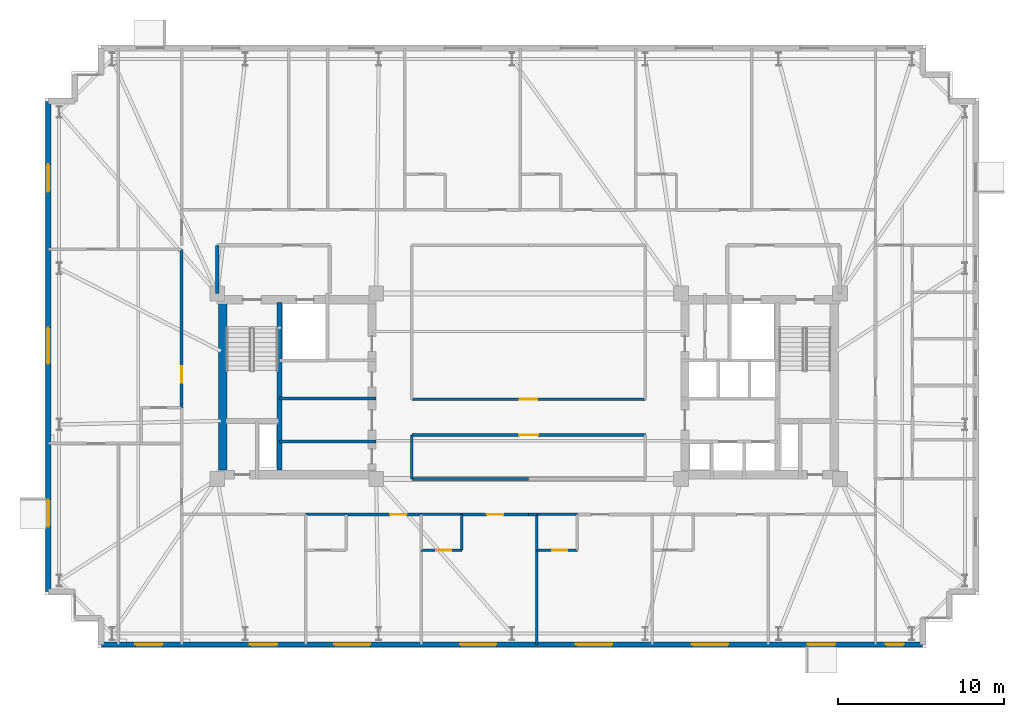
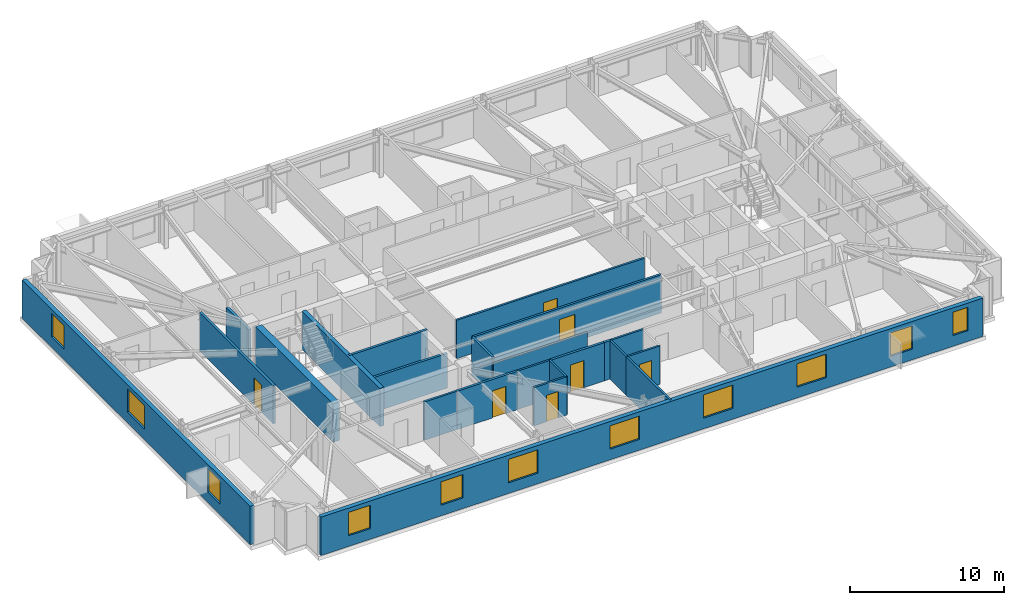
# One storey, part 11 of 17: 23 walls, 11 windows, 7 doors, 18 openings.
"""IFC4 building model written with IfcOpenShell, lengths in metres."""

from ifc_helpers import new_model, si_unit, direction, frame, frame_2d, origin, place, context, subcontext, project, spatial, rectangle, extrude, material, layer, layer_set, type_object, element, fill, save


model = new_model("IFC4")

# Units and contexts
model_context = context("Model", 3, precision=1e-05, world=origin(), true_north=direction((0.0, 1.0)))
body_context = subcontext(model_context, "Body", "Model", "MODEL_VIEW")
ifc_project = project(units=[si_unit("LENGTHUNIT", "METRE"), si_unit("AREAUNIT", "SQUARE_METRE"), si_unit("VOLUMEUNIT", "CUBIC_METRE"), si_unit("PLANEANGLEUNIT", "RADIAN"), si_unit("MASSUNIT", "GRAM", prefix="KILO")], contexts=[model_context])

# Site, building, storey
site_placement = place(None, origin())
site = spatial("IfcSite", under=ifc_project, at=site_placement, CompositionType="ELEMENT")
building_placement = place(site_placement, origin())
building = spatial("IfcBuilding", under=site, at=building_placement, Name="Qobustan Lattice House", CompositionType="ELEMENT")
storey_placement = place(building_placement, frame((0.0, 0.0, 157.800048828125)))
storey = spatial("IfcBuildingStorey", under=building, at=storey_placement, Name="L44", CompositionType="ELEMENT", Elevation=157.800048828125)

# Walls
ifc_material_1 = material(Name="Concrete C50/60", Category="concrete")
ifc_layer_1 = layer(ifc_material_1, 0.5)
ifc_layer_set_1 = layer_set([ifc_layer_1], Name="Concrete C50/60")
wall_type_1 = type_object("IfcWallType", Name="WAL-CORE-500", PredefinedType="SHEAR", material=ifc_layer_set_1)
wall_1_placement = place(storey_placement, frame((-18.4599609375, -5.050048828125, 0.0), z_axis=(0.0, 0.0, 1.0), x_axis=(0.0, 1.0, 0.0)))
element("IfcWall", 1, at=wall_1_placement, inside=storey, type_object=wall_type_1, Name="L44 split-core shear wall CW-W", PredefinedType="SHEAR", context=body_context, shape_type="SweptSolid", body=[
    extrude(rectangle(XDim=10.10009765625, YDim=0.5, at=frame_2d((5.050048828125, 0.0))), origin(), (0.0, 0.0, 1.0), 3.0400390625),
])
ifc_material_2 = material(Name="Concrete C50/60", Category="concrete")
ifc_layer_2 = layer(ifc_material_2, 0.280029296875)
ifc_layer_set_2 = layer_set([ifc_layer_2], Name="Concrete C50/60")
wall_type_2 = type_object("IfcWallType", Name="WAL-CORE-SPINE-280", PredefinedType="SHEAR", material=ifc_layer_set_2)
wall_2_placement = place(storey_placement, frame((-15.050048828125, -5.050048828125, 0.0), z_axis=(0.0, 0.0, 1.0), x_axis=(0.0, 1.0, 0.0)))
element("IfcWall", 2, at=wall_2_placement, inside=storey, type_object=wall_type_2, Name="L44 split-core shear wall CW-M", PredefinedType="SHEAR", context=body_context, shape_type="SweptSolid", body=[
    extrude(rectangle(XDim=10.10009765625, YDim=0.300048828125, at=frame_2d((5.050048828125, 0.0))), origin(), (0.0, 0.0, 1.0), 3.0400390625),
])

# Wall, openings, windows
ifc_material_3 = material(Name="Precast concrete C40/50", Category="concrete")
ifc_layer_3 = layer(ifc_material_3, 0.320068359375)
ifc_layer_set_3 = layer_set([ifc_layer_3], Name="Precast concrete C40/50")
wall_type_3 = type_object("IfcWallType", Name="WAL-EXT-STONE-320", PredefinedType="SOLIDWALL", material=ifc_layer_set_3)
wall_3_placement = place(storey_placement, frame((-29.0, -12.39990234375, 0.0), z_axis=(0.0, 0.0, 1.0), x_axis=(0.0, 1.0, 0.0)))
wall_3 = element("IfcWall", 3, at=wall_3_placement, inside=storey, type_object=wall_type_3, Name="L44 exterior limestone-clad wall 5", PredefinedType="SOLIDWALL", context=body_context, shape_type="SweptSolid", body=[
    extrude(rectangle(XDim=29.599853515625, YDim=0.320068359375, at=frame_2d((14.7998046875, 0.0))), origin(), (0.0, 0.0, 1.0), 3.0400390625),
])
opening_1_placement = place(wall_3_placement, frame((3.89501953125, 0.0, 0.85009765625)))
opening_1 = element("IfcOpeningElement", 4, at=opening_1_placement, cuts=wall_3, Name="Opening WN-09", PredefinedType="OPENING", context=body_context, shape_type="SweptSolid", body=[
    extrude(rectangle(XDim=1.64990234375, YDim=1.85009765625, at=frame_2d((0.824951171875, 0.925048828125))), frame((0.0, 0.169921875, 0.0), z_axis=(0.0, -1.0, 0.0), x_axis=(1.0, 0.0, 0.0)), (0.0, 0.0, 1.0), 0.340087890625),
])
opening_2_placement = place(wall_3_placement, frame((13.739990234375, 0.0, 0.85009765625)))
opening_2 = element("IfcOpeningElement", 5, at=opening_2_placement, cuts=wall_3, Name="Opening WN-03", PredefinedType="OPENING", context=body_context, shape_type="SweptSolid", body=[
    extrude(rectangle(XDim=2.199951171875, YDim=1.85009765625, at=frame_2d((1.10009765625, 0.925048828125))), frame((0.0, 0.169921875, 0.0), z_axis=(0.0, -1.0, 0.0), x_axis=(1.0, 0.0, 0.0)), (0.0, 0.0, 1.0), 0.340087890625),
])
opening_3_placement = place(wall_3_placement, frame((24.135009765625, 0.0, 0.85009765625)))
opening_3 = element("IfcOpeningElement", 6, at=opening_3_placement, cuts=wall_3, Name="Opening WN-09", PredefinedType="OPENING", context=body_context, shape_type="SweptSolid", body=[
    extrude(rectangle(XDim=1.64990234375, YDim=1.85009765625, at=frame_2d((0.824951171875, 0.925048828125))), frame((0.0, 0.169921875, 0.0), z_axis=(0.0, -1.0, 0.0), x_axis=(1.0, 0.0, 0.0)), (0.0, 0.0, 1.0), 0.340087890625),
])
ifc_material_4 = material(Name="Double-glazed low-E aluminium window", Category="aluminium")
window_type_1 = type_object("IfcWindowType", Name="WIN-STU-1650x1850", PartitioningType="SINGLE_PANEL", PredefinedType="WINDOW", material=ifc_material_4)
window_1_placement = place(opening_1_placement, origin())
window_1 = element("IfcWindow", 7, at=window_1_placement, inside=storey, type_object=window_type_1, Name="L44 Focus study room W1A window", OverallHeight=1.85009765625, OverallWidth=1.64990234375, PartitioningType="SINGLE_PANEL", PredefinedType="WINDOW", context=body_context, shape_type="SweptSolid", body=[
    extrude(rectangle(XDim=1.64990234375, YDim=1.85009765625, at=frame_2d((0.824951171875, 0.925048828125))), frame((0.0, 0.030029296875, 0.0), z_axis=(0.0, -1.0, 0.0), x_axis=(1.0, 0.0, 0.0)), (0.0, 0.0, 1.0), 0.06005859375),
])
fill(opening_1, window_1)
window_2_placement = place(opening_3_placement, origin())
window_2 = element("IfcWindow", 8, at=window_2_placement, inside=storey, type_object=window_type_1, Name="L44 Focus study room W3A window", OverallHeight=1.85009765625, OverallWidth=1.64990234375, PartitioningType="SINGLE_PANEL", PredefinedType="WINDOW", context=body_context, shape_type="SweptSolid", body=[
    extrude(rectangle(XDim=1.64990234375, YDim=1.85009765625, at=frame_2d((0.824951171875, 0.925048828125))), frame((0.0, 0.030029296875, 0.0), z_axis=(0.0, -1.0, 0.0), x_axis=(1.0, 0.0, 0.0)), (0.0, 0.0, 1.0), 0.06005859375),
])
fill(opening_3, window_2)
ifc_material_5 = material(Name="Double-glazed low-E aluminium window", Category="aluminium")
window_type_2 = type_object("IfcWindowType", Name="WIN-WIDE-2200x1850", PartitioningType="SINGLE_PANEL", PredefinedType="WINDOW", material=ifc_material_5)
window_3_placement = place(opening_2_placement, origin())
window_3 = element("IfcWindow", 9, at=window_3_placement, inside=storey, type_object=window_type_2, Name="L44 Kitchenette and studio apartment L44-W2 window", OverallHeight=1.85009765625, OverallWidth=2.199951171875, PartitioningType="SINGLE_PANEL", PredefinedType="WINDOW", context=body_context, shape_type="SweptSolid", body=[
    extrude(rectangle(XDim=2.199951171875, YDim=1.85009765625, at=frame_2d((1.10009765625, 0.925048828125))), frame((0.0, 0.030029296875, 0.0), z_axis=(0.0, -1.0, 0.0), x_axis=(1.0, 0.0, 0.0)), (0.0, 0.0, 1.0), 0.06005859375),
])
fill(opening_2, window_3)

wall_4_placement = place(storey_placement, frame((23.800048828125, -15.60009765625, 0.0), z_axis=(0.0, 0.0, 1.0), x_axis=(-1.0, 0.0, 0.0)))
wall_4 = element("IfcWall", 10, at=wall_4_placement, inside=storey, type_object=wall_type_3, Name="L44 exterior limestone-clad wall 20", PredefinedType="SOLIDWALL", context=body_context, shape_type="SweptSolid", body=[
    extrude(rectangle(XDim=49.60009765625, YDim=0.320068359375, at=frame_2d((24.800048828125, 0.0))), origin(), (0.0, 0.0, 1.0), 3.0400390625),
])
opening_4_placement = place(wall_4_placement, frame((1.1298828125, 0.0, 0.85009765625)))
opening_4 = element("IfcOpeningElement", 11, at=opening_4_placement, cuts=wall_4, Name="Opening WN-04", PredefinedType="OPENING", context=body_context, shape_type="SweptSolid", body=[
    extrude(rectangle(XDim=1.10009765625, YDim=1.85009765625, at=frame_2d((0.550048828125, 0.925048828125))), frame((0.0, 0.169921875, 0.0), z_axis=(0.0, -1.0, 0.0), x_axis=(1.0, 0.0, 0.0)), (0.0, 0.0, 1.0), 0.340087890625),
])
opening_5_placement = place(wall_4_placement, frame((5.294921875, 0.0, 0.85009765625)))
opening_5 = element("IfcOpeningElement", 12, at=opening_5_placement, cuts=wall_4, Name="Opening WN-09", PredefinedType="OPENING", context=body_context, shape_type="SweptSolid", body=[
    extrude(rectangle(XDim=1.64990234375, YDim=1.85009765625, at=frame_2d((0.824951171875, 0.925048828125))), frame((0.0, 0.169921875, 0.0), z_axis=(0.0, -1.0, 0.0), x_axis=(1.0, 0.0, 0.0)), (0.0, 0.0, 1.0), 0.340087890625),
])
opening_6_placement = place(wall_4_placement, frame((11.739990234375, 0.0, 0.85009765625)))
opening_6 = element("IfcOpeningElement", 13, at=opening_6_placement, cuts=wall_4, Name="Opening WN-03", PredefinedType="OPENING", context=body_context, shape_type="SweptSolid", body=[
    extrude(rectangle(XDim=2.199951171875, YDim=1.85009765625, at=frame_2d((1.10009765625, 0.925048828125))), frame((0.0, 0.169921875, 0.0), z_axis=(0.0, -1.0, 0.0), x_axis=(1.0, 0.0, 0.0)), (0.0, 0.0, 1.0), 0.340087890625),
])
opening_7_placement = place(wall_4_placement, frame((18.739990234375, 0.0, 0.85009765625)))
opening_7 = element("IfcOpeningElement", 14, at=opening_7_placement, cuts=wall_4, Name="Opening WN-03", PredefinedType="OPENING", context=body_context, shape_type="SweptSolid", body=[
    extrude(rectangle(XDim=2.199951171875, YDim=1.85009765625, at=frame_2d((1.10009765625, 0.925048828125))), frame((0.0, 0.169921875, 0.0), z_axis=(0.0, -1.0, 0.0), x_axis=(1.0, 0.0, 0.0)), (0.0, 0.0, 1.0), 0.340087890625),
])
opening_8_placement = place(wall_4_placement, frame((25.739990234375, 0.0, 0.85009765625)))
opening_8 = element("IfcOpeningElement", 15, at=opening_8_placement, cuts=wall_4, Name="Opening WN-03", PredefinedType="OPENING", context=body_context, shape_type="SweptSolid", body=[
    extrude(rectangle(XDim=2.199951171875, YDim=1.85009765625, at=frame_2d((1.10009765625, 0.925048828125))), frame((0.0, 0.169921875, 0.0), z_axis=(0.0, -1.0, 0.0), x_axis=(1.0, 0.0, 0.0)), (0.0, 0.0, 1.0), 0.340087890625),
])
opening_9_placement = place(wall_4_placement, frame((33.347900390625, 0.0, 0.85009765625)))
opening_9 = element("IfcOpeningElement", 16, at=opening_9_placement, cuts=wall_4, Name="Opening WN-03", PredefinedType="OPENING", context=body_context, shape_type="SweptSolid", body=[
    extrude(rectangle(XDim=2.199951171875, YDim=1.85009765625, at=frame_2d((1.10009765625, 0.925048828125))), frame((0.0, 0.169921875, 0.0), z_axis=(0.0, -1.0, 0.0), x_axis=(1.0, 0.0, 0.0)), (0.0, 0.0, 1.0), 0.340087890625),
])
opening_10_placement = place(wall_4_placement, frame((38.972412109375, 0.0, 0.85009765625)))
opening_10 = element("IfcOpeningElement", 17, at=opening_10_placement, cuts=wall_4, Name="Opening WN-09", PredefinedType="OPENING", context=body_context, shape_type="SweptSolid", body=[
    extrude(rectangle(XDim=1.64990234375, YDim=1.85009765625, at=frame_2d((0.824951171875, 0.925048828125))), frame((0.0, 0.169921875, 0.0), z_axis=(0.0, -1.0, 0.0), x_axis=(1.0, 0.0, 0.0)), (0.0, 0.0, 1.0), 0.340087890625),
])
opening_11_placement = place(wall_4_placement, frame((45.89501953125, 0.0, 0.85009765625)))
opening_11 = element("IfcOpeningElement", 18, at=opening_11_placement, cuts=wall_4, Name="Opening WN-09", PredefinedType="OPENING", context=body_context, shape_type="SweptSolid", body=[
    extrude(rectangle(XDim=1.64990234375, YDim=1.85009765625, at=frame_2d((0.824951171875, 0.925048828125))), frame((0.0, 0.169921875, 0.0), z_axis=(0.0, -1.0, 0.0), x_axis=(1.0, 0.0, 0.0)), (0.0, 0.0, 1.0), 0.340087890625),
])
ifc_material_6 = material(Name="Double-glazed low-E aluminium window", Category="aluminium")
window_type_3 = type_object("IfcWindowType", Name="WIN-NAR-1100x1850", PartitioningType="SINGLE_PANEL", PredefinedType="WINDOW", material=ifc_material_6)
window_4_placement = place(opening_4_placement, origin())
window_4 = element("IfcWindow", 19, at=window_4_placement, inside=storey, type_object=window_type_3, Name="L44 Reading study room L44ES window", OverallHeight=1.85009765625, OverallWidth=1.10009765625, PartitioningType="SINGLE_PANEL", PredefinedType="WINDOW", context=body_context, shape_type="SweptSolid", body=[
    extrude(rectangle(XDim=1.10009765625, YDim=1.85009765625, at=frame_2d((0.550048828125, 0.925048828125))), frame((0.0, 0.030029296875, 0.0), z_axis=(0.0, -1.0, 0.0), x_axis=(1.0, 0.0, 0.0)), (0.0, 0.0, 1.0), 0.06005859375),
])
fill(opening_4, window_4)
window_5_placement = place(opening_5_placement, origin())
window_5 = element("IfcWindow", 20, at=window_5_placement, inside=storey, type_object=window_type_1, Name="L44 Group study room window", OverallHeight=1.85009765625, OverallWidth=1.64990234375, PartitioningType="SINGLE_PANEL", PredefinedType="WINDOW", context=body_context, shape_type="SweptSolid", body=[
    extrude(rectangle(XDim=1.64990234375, YDim=1.85009765625, at=frame_2d((0.824951171875, 0.925048828125))), frame((0.0, 0.030029296875, 0.0), z_axis=(0.0, -1.0, 0.0), x_axis=(1.0, 0.0, 0.0)), (0.0, 0.0, 1.0), 0.06005859375),
])
fill(opening_5, window_5)
window_6_placement = place(opening_10_placement, origin())
window_6 = element("IfcWindow", 21, at=window_6_placement, inside=storey, type_object=window_type_1, Name="L44 Focus study room S1 window", OverallHeight=1.85009765625, OverallWidth=1.64990234375, PartitioningType="SINGLE_PANEL", PredefinedType="WINDOW", context=body_context, shape_type="SweptSolid", body=[
    extrude(rectangle(XDim=1.64990234375, YDim=1.85009765625, at=frame_2d((0.824951171875, 0.925048828125))), frame((0.0, 0.030029296875, 0.0), z_axis=(0.0, -1.0, 0.0), x_axis=(1.0, 0.0, 0.0)), (0.0, 0.0, 1.0), 0.06005859375),
])
fill(opening_10, window_6)
window_7_placement = place(opening_11_placement, origin())
window_7 = element("IfcWindow", 22, at=window_7_placement, inside=storey, type_object=window_type_1, Name="L44 Focus study room W1B window", OverallHeight=1.85009765625, OverallWidth=1.64990234375, PartitioningType="SINGLE_PANEL", PredefinedType="WINDOW", context=body_context, shape_type="SweptSolid", body=[
    extrude(rectangle(XDim=1.64990234375, YDim=1.85009765625, at=frame_2d((0.824951171875, 0.925048828125))), frame((0.0, 0.030029296875, 0.0), z_axis=(0.0, -1.0, 0.0), x_axis=(1.0, 0.0, 0.0)), (0.0, 0.0, 1.0), 0.06005859375),
])
fill(opening_11, window_7)
window_8_placement = place(opening_6_placement, origin())
window_8 = element("IfcWindow", 23, at=window_8_placement, inside=storey, type_object=window_type_2, Name="L44 Kitchenette and studio apartment L44-S5 window", OverallHeight=1.85009765625, OverallWidth=2.199951171875, PartitioningType="SINGLE_PANEL", PredefinedType="WINDOW", context=body_context, shape_type="SweptSolid", body=[
    extrude(rectangle(XDim=2.199951171875, YDim=1.85009765625, at=frame_2d((1.10009765625, 0.925048828125))), frame((0.0, 0.030029296875, 0.0), z_axis=(0.0, -1.0, 0.0), x_axis=(1.0, 0.0, 0.0)), (0.0, 0.0, 1.0), 0.06005859375),
])
fill(opening_6, window_8)
window_9_placement = place(opening_7_placement, origin())
window_9 = element("IfcWindow", 24, at=window_9_placement, inside=storey, type_object=window_type_2, Name="L44 Kitchenette and studio apartment L44-S4 window", OverallHeight=1.85009765625, OverallWidth=2.199951171875, PartitioningType="SINGLE_PANEL", PredefinedType="WINDOW", context=body_context, shape_type="SweptSolid", body=[
    extrude(rectangle(XDim=2.199951171875, YDim=1.85009765625, at=frame_2d((1.10009765625, 0.925048828125))), frame((0.0, 0.030029296875, 0.0), z_axis=(0.0, -1.0, 0.0), x_axis=(1.0, 0.0, 0.0)), (0.0, 0.0, 1.0), 0.06005859375),
])
fill(opening_7, window_9)
window_10_placement = place(opening_8_placement, origin())
window_10 = element("IfcWindow", 25, at=window_10_placement, inside=storey, type_object=window_type_2, Name="L44 Kitchenette and studio apartment L44-S3 window", OverallHeight=1.85009765625, OverallWidth=2.199951171875, PartitioningType="SINGLE_PANEL", PredefinedType="WINDOW", context=body_context, shape_type="SweptSolid", body=[
    extrude(rectangle(XDim=2.199951171875, YDim=1.85009765625, at=frame_2d((1.10009765625, 0.925048828125))), frame((0.0, 0.030029296875, 0.0), z_axis=(0.0, -1.0, 0.0), x_axis=(1.0, 0.0, 0.0)), (0.0, 0.0, 1.0), 0.06005859375),
])
fill(opening_8, window_10)
window_11_placement = place(opening_9_placement, origin())
window_11 = element("IfcWindow", 26, at=window_11_placement, inside=storey, type_object=window_type_2, Name="L44 Kitchenette and studio apartment L44-S2 window", OverallHeight=1.85009765625, OverallWidth=2.199951171875, PartitioningType="SINGLE_PANEL", PredefinedType="WINDOW", context=body_context, shape_type="SweptSolid", body=[
    extrude(rectangle(XDim=2.199951171875, YDim=1.85009765625, at=frame_2d((1.10009765625, 0.925048828125))), frame((0.0, 0.030029296875, 0.0), z_axis=(0.0, -1.0, 0.0), x_axis=(1.0, 0.0, 0.0)), (0.0, 0.0, 1.0), 0.06005859375),
])
fill(opening_9, window_11)

# Walls
ifc_material_7 = material(Name="Gypsum fireboard acoustic partition", Category="gypsum")
ifc_layer_4 = layer(ifc_material_7, 0.179931640625)
ifc_layer_set_4 = layer_set([ifc_layer_4], Name="Gypsum fireboard acoustic partition")
wall_type_4 = type_object("IfcWallType", Name="WAL-FIRE-180", PredefinedType="PARTITIONING", material=ifc_layer_set_4)
wall_5_placement = place(storey_placement, frame((-15.050048828125, -3.35009765625, 0.0), z_axis=(0.0, 0.0, 1.0), x_axis=(1.0, 0.0, 0.0)))
element("IfcWall", 27, at=wall_5_placement, inside=storey, type_object=wall_type_4, Name="L44 interior partition 8", PredefinedType="PARTITIONING", context=body_context, shape_type="SweptSolid", body=[
    extrude(rectangle(XDim=5.85009765625, YDim=0.179931640625, at=frame_2d((2.925048828125, 0.0))), origin(), (0.0, 0.0, 1.0), 2.7548828125),
])
wall_6_placement = place(storey_placement, frame((-9.199951171875, -0.75, 0.0), z_axis=(0.0, 0.0, 1.0), x_axis=(-1.0, 0.0, 0.0)))
element("IfcWall", 28, at=wall_6_placement, inside=storey, type_object=wall_type_4, Name="L44 interior partition 9", PredefinedType="PARTITIONING", context=body_context, shape_type="SweptSolid", body=[
    extrude(rectangle(XDim=5.85009765625, YDim=0.179931640625, at=frame_2d((2.925048828125, 0.0))), origin(), (0.0, 0.0, 1.0), 3.0400390625),
])

# Wall, opening, door
wall_7_placement = place(storey_placement, frame((-6.48291015625, -7.75, 0.0), z_axis=(0.0, 0.0, 1.0), x_axis=(-1.0, 0.0, 0.0)))
wall_7 = element("IfcWall", 29, at=wall_7_placement, inside=storey, type_object=wall_type_4, Name="L44 interior partition 48", PredefinedType="PARTITIONING", context=body_context, shape_type="SweptSolid", body=[
    extrude(rectangle(XDim=4.5341796875, YDim=0.179931640625, at=frame_2d((2.26708984375, 0.0))), origin(), (0.0, 0.0, 1.0), 3.0400390625),
])
opening_12_placement = place(wall_7_placement, frame((0.876708984375, 0.0, 0.0)))
opening_12 = element("IfcOpeningElement", 30, at=opening_12_placement, cuts=wall_7, Name="Opening FD-02", PredefinedType="OPENING", context=body_context, shape_type="SweptSolid", body=[
    extrude(rectangle(XDim=1.0, YDim=2.14990234375, at=frame_2d((0.5, 1.074951171875))), frame((0.0, 0.099853515625, 0.0), z_axis=(0.0, -1.0, 0.0), x_axis=(1.0, 0.0, 0.0)), (0.0, 0.0, 1.0), 0.199951171875),
])
ifc_material_8 = material(Name="Persian walnut timber and steel frame door", Category="steel")
door_type_1 = type_object("IfcDoorType", Name="DOR-UNIT-FD-1000x2150", OperationType="NOTDEFINED", PredefinedType="DOOR", material=ifc_material_8)
door_1_placement = place(opening_12_placement, origin())
door_1 = element("IfcDoor", 31, at=door_1_placement, inside=storey, type_object=door_type_1, Name="L44 South-west floor corridor to Kitchenette and studio apartment L44-S2 door", OperationType="SINGLE_SWING_LEFT", OverallHeight=2.14990234375, OverallWidth=1.0, PredefinedType="DOOR", context=body_context, shape_type="SweptSolid", body=[
    extrude(rectangle(XDim=1.0, YDim=2.14990234375, at=frame_2d((0.5, 1.074951171875))), frame((0.0, 0.02490234375, 0.0), z_axis=(0.0, -1.0, 0.0), x_axis=(1.0, 0.0, 0.0)), (0.0, 0.0, 1.0), 0.050048828125),
])
fill(opening_12, door_1)

wall_8_placement = place(storey_placement, frame((0.0, -7.75, 0.0), z_axis=(0.0, 0.0, 1.0), x_axis=(-1.0, 0.0, 0.0)))
wall_8 = element("IfcWall", 32, at=wall_8_placement, inside=storey, type_object=wall_type_4, Name="L44 interior partition 50", PredefinedType="PARTITIONING", context=body_context, shape_type="SweptSolid", body=[
    extrude(rectangle(XDim=4.032958984375, YDim=0.179931640625, at=frame_2d((2.0166015625, 0.0))), origin(), (0.0, 0.0, 1.0), 3.0400390625),
])
opening_13_placement = place(wall_8_placement, frame((1.5166015625, 0.0, 0.0)))
opening_13 = element("IfcOpeningElement", 33, at=opening_13_placement, cuts=wall_8, Name="Opening FD-02", PredefinedType="OPENING", context=body_context, shape_type="SweptSolid", body=[
    extrude(rectangle(XDim=1.0, YDim=2.14990234375, at=frame_2d((0.5, 1.074951171875))), frame((0.0, 0.099853515625, 0.0), z_axis=(0.0, -1.0, 0.0), x_axis=(1.0, 0.0, 0.0)), (0.0, 0.0, 1.0), 0.199951171875),
])
door_2_placement = place(opening_13_placement, origin())
door_2 = element("IfcDoor", 34, at=door_2_placement, inside=storey, type_object=door_type_1, Name="L44 South-west floor corridor to Kitchenette and studio apartment L44-S3 door", OperationType="SINGLE_SWING_RIGHT", OverallHeight=2.14990234375, OverallWidth=1.0, PredefinedType="DOOR", context=body_context, shape_type="SweptSolid", body=[
    extrude(rectangle(XDim=1.0, YDim=2.14990234375, at=frame_2d((0.5, 1.074951171875))), frame((0.0, 0.02490234375, 0.0), z_axis=(0.0, -1.0, 0.0), x_axis=(1.0, 0.0, 0.0)), (0.0, 0.0, 1.0), 0.050048828125),
])
fill(opening_13, door_2)

# Wall
wall_9_placement = place(storey_placement, frame((0.5, -7.75, 0.0), z_axis=(0.0, 0.0, 1.0), x_axis=(-1.0, 0.0, 0.0)))
element("IfcWall", 35, at=wall_9_placement, inside=storey, type_object=wall_type_4, Name="L44 interior partition 54", PredefinedType="PARTITIONING", context=body_context, shape_type="SweptSolid", body=[
    extrude(rectangle(XDim=0.5, YDim=0.179931640625, at=frame_2d((0.25, 0.0))), origin(), (0.0, 0.0, 1.0), 3.0400390625),
])

# Wall, opening, door
wall_10_placement = place(storey_placement, frame((-20.949951171875, -1.31005859375, 0.0), z_axis=(0.0, 0.0, 1.0), x_axis=(0.0, 1.0, 0.0)))
wall_10 = element("IfcWall", 36, at=wall_10_placement, inside=storey, type_object=wall_type_4, Name="L44 interior partition 62", PredefinedType="PARTITIONING", context=body_context, shape_type="SweptSolid", body=[
    extrude(rectangle(XDim=9.570068359375, YDim=0.179931640625, at=frame_2d((4.78515625, 0.0))), origin(), (0.0, 0.0, 1.0), 3.0400390625),
])
opening_14_placement = place(wall_10_placement, frame((1.50634765625, 0.0, 0.0)))
opening_14 = element("IfcOpeningElement", 37, at=opening_14_placement, cuts=wall_10, Name="Opening FD-02", PredefinedType="OPENING", context=body_context, shape_type="SweptSolid", body=[
    extrude(rectangle(XDim=1.0, YDim=2.14990234375, at=frame_2d((0.5, 1.074951171875))), frame((0.0, 0.099853515625, 0.0), z_axis=(0.0, -1.0, 0.0), x_axis=(1.0, 0.0, 0.0)), (0.0, 0.0, 1.0), 0.199951171875),
])
door_3_placement = place(opening_14_placement, origin())
door_3 = element("IfcDoor", 38, at=door_3_placement, inside=storey, type_object=door_type_1, Name="L44 West wing spine gallery to Kitchenette and studio apartment L44-W2 door", OperationType="SINGLE_SWING_LEFT", OverallHeight=2.14990234375, OverallWidth=1.0, PredefinedType="DOOR", context=body_context, shape_type="SweptSolid", body=[
    extrude(rectangle(XDim=1.0, YDim=2.14990234375, at=frame_2d((0.5, 1.074951171875))), frame((0.0, 0.02490234375, 0.0), z_axis=(0.0, -1.0, 0.0), x_axis=(1.0, 0.0, 0.0)), (0.0, 0.0, 1.0), 0.050048828125),
])
fill(opening_14, door_3)

ifc_material_9 = material(Name="Acoustic twin-stud gypsum partition", Category="gypsum")
ifc_layer_5 = layer(ifc_material_9, 0.14990234375)
ifc_layer_set_5 = layer_set([ifc_layer_5], Name="Acoustic twin-stud gypsum partition")
wall_type_5 = type_object("IfcWallType", Name="WAL-PART-150", PredefinedType="PARTITIONING", material=ifc_layer_set_5)
wall_11_placement = place(storey_placement, frame((-7.050048828125, -0.800048828125, 0.0), z_axis=(0.0, 0.0, 1.0), x_axis=(1.0, 0.0, 0.0)))
wall_11 = element("IfcWall", 39, at=wall_11_placement, inside=storey, type_object=wall_type_5, Name="L44 interior partition 65", PredefinedType="PARTITIONING", context=body_context, shape_type="SweptSolid", body=[
    extrude(rectangle(XDim=14.10009765625, YDim=0.14990234375, at=frame_2d((7.050048828125, 0.0))), origin(), (0.0, 0.0, 1.0), 3.0400390625),
])
opening_15_placement = place(wall_11_placement, frame((6.52490234375, 0.0, 0.0)))
opening_15 = element("IfcOpeningElement", 40, at=opening_15_placement, cuts=wall_11, Name="Opening ID-02", PredefinedType="OPENING", context=body_context, shape_type="SweptSolid", body=[
    extrude(rectangle(XDim=1.050048828125, YDim=2.14990234375, at=frame_2d((0.52490234375, 1.074951171875))), frame((0.0, 0.0849609375, 0.0), z_axis=(0.0, -1.0, 0.0), x_axis=(1.0, 0.0, 0.0)), (0.0, 0.0, 1.0), 0.169921875),
])
ifc_material_10 = material(Name="Persian walnut timber and steel frame door", Category="steel")
door_type_2 = type_object("IfcDoorType", Name="DOR-STUDY-1050x2150", OperationType="NOTDEFINED", PredefinedType="DOOR", material=ifc_material_10)
door_4_placement = place(opening_15_placement, origin())
door_4 = element("IfcDoor", 41, at=door_4_placement, inside=storey, type_object=door_type_2, Name="L44 Central spine corridor to Central study commons door", OperationType="SINGLE_SWING_LEFT", OverallHeight=2.14990234375, OverallWidth=1.050048828125, PredefinedType="DOOR", context=body_context, shape_type="SweptSolid", body=[
    extrude(rectangle(XDim=1.050048828125, YDim=2.14990234375, at=frame_2d((0.52490234375, 1.074951171875))), frame((0.0, 0.02490234375, 0.0), z_axis=(0.0, -1.0, 0.0), x_axis=(1.0, 0.0, 0.0)), (0.0, 0.0, 1.0), 0.050048828125),
])
fill(opening_15, door_4)

# Walls
wall_12_placement = place(storey_placement, frame((0.5, -9.89990234375, 0.0), z_axis=(0.0, 0.0, 1.0), x_axis=(0.0, -1.0, 0.0)))
element("IfcWall", 42, at=wall_12_placement, inside=storey, type_object=wall_type_5, Name="L44 interior partition 120", PredefinedType="PARTITIONING", context=body_context, shape_type="SweptSolid", body=[
    extrude(rectangle(XDim=5.7001953125, YDim=0.14990234375, at=frame_2d((2.85009765625, 0.0))), origin(), (0.0, 0.0, 1.0), 3.0400390625),
])
ifc_material_11 = material(Name="High-mass acoustic twin-stud partition", Category="gypsum")
ifc_layer_6 = layer(ifc_material_11, 0.1650390625)
ifc_layer_set_6 = layer_set([ifc_layer_6], Name="High-mass acoustic twin-stud partition")
wall_type_6 = type_object("IfcWallType", Name="WAL-PART-165", PredefinedType="PARTITIONING", material=ifc_layer_set_6)
wall_13_placement = place(storey_placement, frame((-7.050048828125, -5.60009765625, 0.0), z_axis=(0.0, 0.0, 1.0), x_axis=(1.0, 0.0, 0.0)))
element("IfcWall", 43, at=wall_13_placement, inside=storey, type_object=wall_type_6, Name="L44 interior partition 52", PredefinedType="PARTITIONING", context=body_context, shape_type="SweptSolid", body=[
    extrude(rectangle(XDim=7.050048828125, YDim=0.1650390625, at=frame_2d((3.52490234375, 0.0))), origin(), (0.0, 0.0, 1.0), 2.52490234375),
])

# Wall, opening, door
wall_14_placement = place(storey_placement, frame((7.050048828125, -2.949951171875, 0.0), z_axis=(0.0, 0.0, 1.0), x_axis=(-1.0, 0.0, 0.0)))
wall_14 = element("IfcWall", 44, at=wall_14_placement, inside=storey, type_object=wall_type_6, Name="L44 interior partition 66", PredefinedType="PARTITIONING", context=body_context, shape_type="SweptSolid", body=[
    extrude(rectangle(XDim=14.10009765625, YDim=0.1650390625, at=frame_2d((7.050048828125, 0.0))), origin(), (0.0, 0.0, 1.0), 3.0400390625),
])
opening_16_placement = place(wall_14_placement, frame((6.47509765625, 0.0, 0.0)))
opening_16 = element("IfcOpeningElement", 45, at=opening_16_placement, cuts=wall_14, Name="Opening ID-03", PredefinedType="OPENING", context=body_context, shape_type="SweptSolid", body=[
    extrude(rectangle(XDim=1.14990234375, YDim=2.14990234375, at=frame_2d((0.574951171875, 1.074951171875))), frame((0.0, 0.092529296875, 0.0), z_axis=(0.0, -1.0, 0.0), x_axis=(1.0, 0.0, 0.0)), (0.0, 0.0, 1.0), 0.18505859375),
])
ifc_material_12 = material(Name="Persian walnut timber and steel frame door", Category="steel")
door_type_3 = type_object("IfcDoorType", Name="DOR-KITCH-1150x2150", OperationType="NOTDEFINED", PredefinedType="DOOR", material=ifc_material_12)
door_5_placement = place(opening_16_placement, origin())
door_5 = element("IfcDoor", 46, at=door_5_placement, inside=storey, type_object=door_type_3, Name="L44 Central spine corridor to Shared kitchen and tea room door", OperationType="SINGLE_SWING_RIGHT", OverallHeight=2.14990234375, OverallWidth=1.14990234375, PredefinedType="DOOR", context=body_context, shape_type="SweptSolid", body=[
    extrude(rectangle(XDim=1.14990234375, YDim=2.14990234375, at=frame_2d((0.574951171875, 1.074951171875))), frame((0.0, 0.02490234375, 0.0), z_axis=(0.0, -1.0, 0.0), x_axis=(1.0, 0.0, 0.0)), (0.0, 0.0, 1.0), 0.050048828125),
])
fill(opening_16, door_5)

# Walls
wall_15_placement = place(storey_placement, frame((-7.050048828125, -2.949951171875, 0.0), z_axis=(0.0, 0.0, 1.0), x_axis=(0.0, -1.0, 0.0)))
element("IfcWall", 47, at=wall_15_placement, inside=storey, type_object=wall_type_6, Name="L44 interior partition 68", PredefinedType="PARTITIONING", context=body_context, shape_type="SweptSolid", body=[
    extrude(rectangle(XDim=2.650146484375, YDim=0.1650390625, at=frame_2d((1.3251953125, 0.0))), origin(), (0.0, 0.0, 1.0), 3.0400390625),
])
ifc_material_13 = material(Name="Two-hour gypsum fireboard acoustic partition", Category="gypsum")
ifc_layer_7 = layer(ifc_material_13, 0.199951171875)
ifc_layer_set_7 = layer_set([ifc_layer_7], Name="Two-hour gypsum fireboard acoustic partition")
wall_type_7 = type_object("IfcWallType", Name="WAL-PROT-200", PredefinedType="PARTITIONING", material=ifc_layer_set_7)
wall_16_placement = place(storey_placement, frame((-18.800048828125, 8.5, 0.0), z_axis=(0.0, 0.0, 1.0), x_axis=(0.0, -1.0, 0.0)))
element("IfcWall", 48, at=wall_16_placement, inside=storey, type_object=wall_type_7, Name="L44 interior partition 4", PredefinedType="PARTITIONING", context=body_context, shape_type="SweptSolid", body=[
    extrude(rectangle(XDim=2.89990234375, YDim=0.199951171875, at=frame_2d((1.449951171875, 0.0))), origin(), (0.0, 0.0, 1.0), 2.52490234375),
])
ifc_material_14 = material(Name="Moisture-resistant acoustic plumbing wall", Category="gypsum")
ifc_layer_8 = layer(ifc_material_14, 0.14990234375)
ifc_layer_set_8 = layer_set([ifc_layer_8], Name="Moisture-resistant acoustic plumbing wall")
wall_type_8 = type_object("IfcWallType", Name="WAL-WET-150", PredefinedType="PLUMBINGWALL", material=ifc_layer_set_8)
for number, where, z_axis, x_axis, name in (
    (49, (-11.01708984375, -7.75, 0.0), (0.0, 0.0, 1.0), (-1.0, 0.0, 0.0), "L44 interior partition 49"),
    (50, (-4.032958984375, -7.75, 0.0), (0.0, 0.0, 1.0), (-1.0, 0.0, 0.0), "L44 interior partition 51"),
    (51, (2.949951171875, -7.75, 0.0), (0.0, 0.0, 1.0), (-1.0, 0.0, 0.0), "L44 interior partition 56"),
):
    element("IfcWall", number, at=place(storey_placement, frame(where, z_axis=z_axis, x_axis=x_axis)), inside=storey, type_object=wall_type_8, Name=name, PredefinedType="PLUMBINGWALL", context=body_context, shape_type="SweptSolid", body=[
        extrude(rectangle(XDim=2.449951171875, YDim=0.14990234375, at=frame_2d((1.22509765625, 0.0))), origin(), (0.0, 0.0, 1.0), 3.0400390625),
    ])

# Wall, opening, door
wall_17_placement = place(storey_placement, frame((-6.48291015625, -9.89990234375, 0.0), z_axis=(0.0, 0.0, 1.0), x_axis=(1.0, 0.0, 0.0)))
wall_17 = element("IfcWall", 52, at=wall_17_placement, inside=storey, type_object=wall_type_8, Name="L44 interior partition 118", PredefinedType="PLUMBINGWALL", context=body_context, shape_type="SweptSolid", body=[
    extrude(rectangle(XDim=2.449951171875, YDim=0.14990234375, at=frame_2d((1.22509765625, 0.0))), origin(), (0.0, 0.0, 1.0), 3.0400390625),
])
opening_17_placement = place(wall_17_placement, frame((0.921142578125, 0.0, 0.0)))
opening_17 = element("IfcOpeningElement", 53, at=opening_17_placement, cuts=wall_17, Name="Opening WD-01", PredefinedType="OPENING", context=body_context, shape_type="SweptSolid", body=[
    extrude(rectangle(XDim=0.89990234375, YDim=2.10009765625, at=frame_2d((0.449951171875, 1.050048828125))), frame((0.0, 0.0849609375, 0.0), z_axis=(0.0, -1.0, 0.0), x_axis=(1.0, 0.0, 0.0)), (0.0, 0.0, 1.0), 0.169921875),
])
ifc_material_15 = material(Name="Persian walnut timber and steel frame door", Category="steel")
door_type_4 = type_object("IfcDoorType", Name="DOR-WET-900x2100", OperationType="NOTDEFINED", PredefinedType="DOOR", material=ifc_material_15)
door_6_placement = place(opening_17_placement, origin())
door_6 = element("IfcDoor", 54, at=door_6_placement, inside=storey, type_object=door_type_4, Name="L44 Kitchenette and studio apartment L44-S3 to En-suite bathroom L44-S3 door", OperationType="SINGLE_SWING_LEFT", OverallHeight=2.10009765625, OverallWidth=0.89990234375, PredefinedType="DOOR", context=body_context, shape_type="SweptSolid", body=[
    extrude(rectangle(XDim=0.89990234375, YDim=2.10009765625, at=frame_2d((0.449951171875, 1.050048828125))), frame((0.0, 0.02490234375, 0.0), z_axis=(0.0, -1.0, 0.0), x_axis=(1.0, 0.0, 0.0)), (0.0, 0.0, 1.0), 0.050048828125),
])
fill(opening_17, door_6)

# Walls
for number, where, z_axis, x_axis, name in (
    (55, (-4.032958984375, -9.89990234375, 0.0), (0.0, 0.0, 1.0), (0.0, 1.0, 0.0), "L44 interior partition 119"),
    (56, (0.5, -7.75, 0.0), (0.0, 0.0, 1.0), (0.0, -1.0, 0.0), "L44 interior partition 121"),
):
    element("IfcWall", number, at=place(storey_placement, frame(where, z_axis=z_axis, x_axis=x_axis)), inside=storey, type_object=wall_type_8, Name=name, PredefinedType="PLUMBINGWALL", context=body_context, shape_type="SweptSolid", body=[
        extrude(rectangle(XDim=2.14990234375, YDim=0.14990234375, at=frame_2d((1.074951171875, 0.0))), origin(), (0.0, 0.0, 1.0), 3.0400390625),
    ])

# Wall, opening, door
wall_18_placement = place(storey_placement, frame((0.5, -9.89990234375, 0.0), z_axis=(0.0, 0.0, 1.0), x_axis=(1.0, 0.0, 0.0)))
wall_18 = element("IfcWall", 57, at=wall_18_placement, inside=storey, type_object=wall_type_8, Name="L44 interior partition 122", PredefinedType="PLUMBINGWALL", context=body_context, shape_type="SweptSolid", body=[
    extrude(rectangle(XDim=2.449951171875, YDim=0.14990234375, at=frame_2d((1.22509765625, 0.0))), origin(), (0.0, 0.0, 1.0), 3.0400390625),
])
opening_18_placement = place(wall_18_placement, frame((0.92138671875, 0.0, 0.0)))
opening_18 = element("IfcOpeningElement", 58, at=opening_18_placement, cuts=wall_18, Name="Opening WD-01", PredefinedType="OPENING", context=body_context, shape_type="SweptSolid", body=[
    extrude(rectangle(XDim=0.89990234375, YDim=2.10009765625, at=frame_2d((0.449951171875, 1.050048828125))), frame((0.0, 0.0849609375, 0.0), z_axis=(0.0, -1.0, 0.0), x_axis=(1.0, 0.0, 0.0)), (0.0, 0.0, 1.0), 0.169921875),
])
door_7_placement = place(opening_18_placement, origin())
door_7 = element("IfcDoor", 59, at=door_7_placement, inside=storey, type_object=door_type_4, Name="L44 Kitchenette and studio apartment L44-S4 to En-suite bathroom L44-S4 door", OperationType="SINGLE_SWING_RIGHT", OverallHeight=2.10009765625, OverallWidth=0.89990234375, PredefinedType="DOOR", context=body_context, shape_type="SweptSolid", body=[
    extrude(rectangle(XDim=0.89990234375, YDim=2.10009765625, at=frame_2d((0.449951171875, 1.050048828125))), frame((0.0, 0.02490234375, 0.0), z_axis=(0.0, -1.0, 0.0), x_axis=(1.0, 0.0, 0.0)), (0.0, 0.0, 1.0), 0.050048828125),
])
fill(opening_18, door_7)

save(model, "model.ifc")
